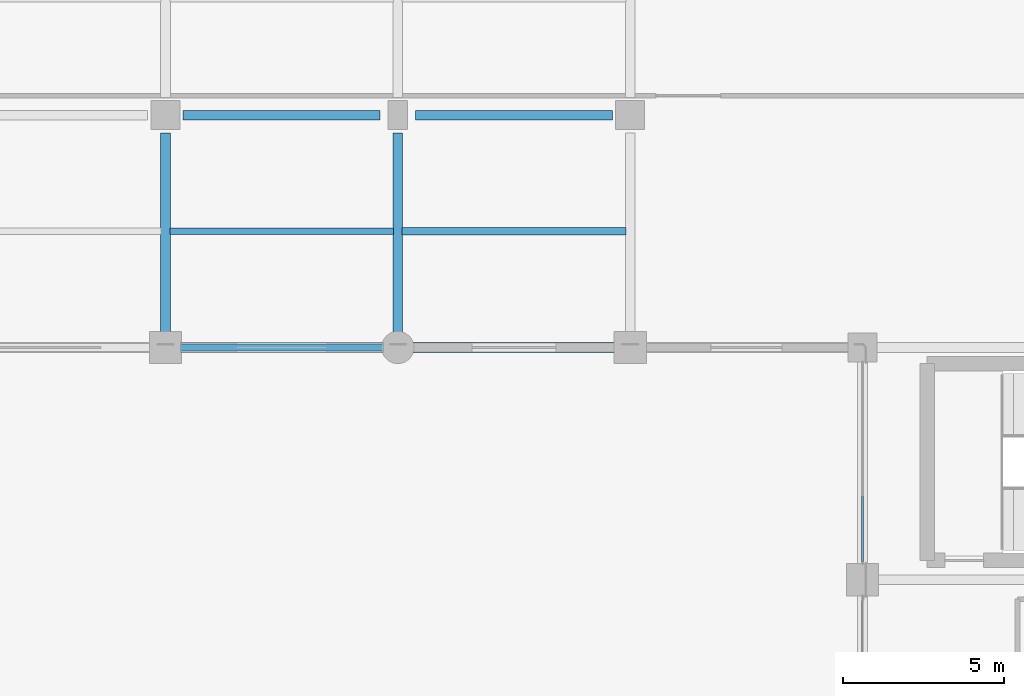
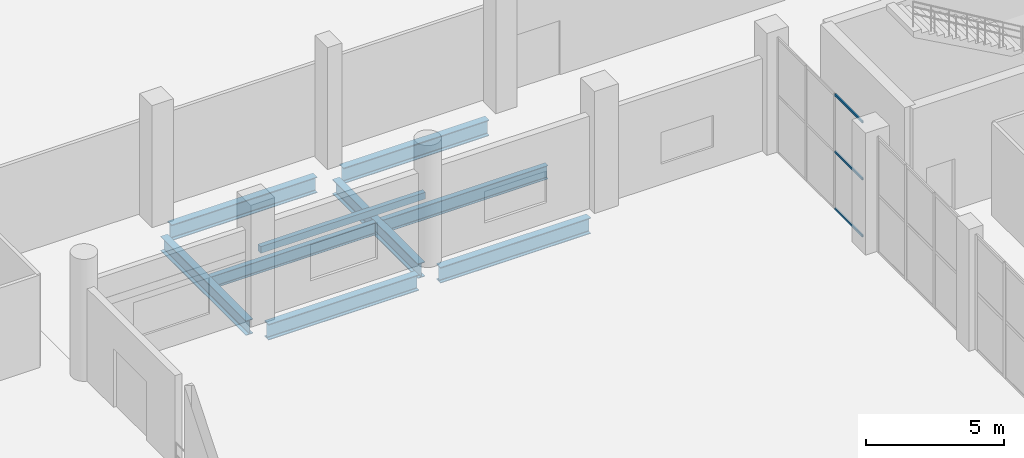
# One storey, part 21 of 58: 9 beams, 3 members, 1 element without a shape of its own.
"""IFC4 building model written with IfcOpenShell, lengths in metres."""

from ifc_helpers import new_model, si_unit, direction, frame, origin, origin_2d, place, context, subcontext, project, spatial, rectangle, hollow_rectangle, i_section, extrude, material, material_profile, profile_set, type_object, element, aggregate, save


model = new_model("IFC4")

# Units and contexts
model_context = context("Model", 3, precision=1e-05, world=origin(), true_north=direction((0.0, 1.0)))
body_context = subcontext(model_context, "Body", "Model", "MODEL_VIEW")
ifc_project = project(units=[si_unit("LENGTHUNIT", "METRE"), si_unit("AREAUNIT", "SQUARE_METRE"), si_unit("VOLUMEUNIT", "CUBIC_METRE"), si_unit("PLANEANGLEUNIT", "RADIAN"), si_unit("MASSUNIT", "GRAM", prefix="KILO")], contexts=[model_context])

# Site, building, storey
site_placement = place(None, origin())
site = spatial("IfcSite", under=ifc_project, at=site_placement, CompositionType="ELEMENT")
building_placement = place(site_placement, origin())
building = spatial("IfcBuilding", under=site, at=building_placement, Name="Qandorah Velis Arena", CompositionType="ELEMENT")
storey_placement = place(building_placement, origin())
storey = spatial("IfcBuildingStorey", under=building, at=storey_placement, Name="L00", CompositionType="ELEMENT", Elevation=0.0)

# Curtain wall, members
ifc_material_1 = material(Name="Solar-control low-E double glazing", Category="glass")
curtain_wall_type = type_object("IfcCurtainWallType", Name="ARC-CW-SYS24", PredefinedType="USERDEFINED", material=ifc_material_1)
curtain_wall_placement = place(storey_placement, origin())
curtain_wall = element("IfcCurtainWall", 1, at=curtain_wall_placement, inside=storey, type_object=curtain_wall_type, Name="Unitised curtain wall L00-120", ObjectType="UNITISED CURTAIN WALL", PredefinedType="USERDEFINED")
ifc_material_2 = material(Name="Champagne-bronze anodized aluminium 6063-T6", Category="aluminium")
ifc_material_profile_1 = material_profile(ifc_material_2, hollow_rectangle(XDim=0.054931640625, YDim=0.10009765625, WallThickness=0.0029296875, at=origin_2d()), Name="ALU TRANSOM 55x100")
ifc_profile_set_1 = profile_set([ifc_material_profile_1], Name="Champagne-bronze anodized aluminium 6063-T6")
member_type = type_object("IfcMemberType", Name="ARC-CWT-100", PredefinedType="USERDEFINED", material=ifc_profile_set_1)
member_1_placement = place(storey_placement, frame((151.199951171875, 79.76806640625, 0.027587890625), z_axis=(0.0, 1.0, 0.0), x_axis=(-1.0, 0.0, 0.0)))
member_1 = element("IfcMember", 2, at=member_1_placement, type_object=member_type, Name="CW24 transom 1.1", ObjectType="TRANSOM", PredefinedType="USERDEFINED", context=body_context, shape_type="SweptSolid", body=[
    extrude(hollow_rectangle(XDim=0.054931640625, YDim=0.10009765625, WallThickness=0.0029296875, at=origin_2d()), origin(), (0.0, 0.0, 1.0), 2.008056640625),
])
member_2_placement = place(storey_placement, frame((151.199951171875, 79.76806640625, 2.550048828125), z_axis=(0.0, 1.0, 0.0), x_axis=(-1.0, 0.0, 0.0)))
member_2 = element("IfcMember", 3, at=member_2_placement, type_object=member_type, Name="CW24 transom 1.2", ObjectType="TRANSOM", PredefinedType="USERDEFINED", context=body_context, shape_type="SweptSolid", body=[
    extrude(hollow_rectangle(XDim=0.054931640625, YDim=0.10009765625, WallThickness=0.0029296875, at=origin_2d()), origin(), (0.0, 0.0, 1.0), 2.008056640625),
])
member_3_placement = place(storey_placement, frame((151.199951171875, 79.76806640625, 5.072509765625), z_axis=(0.0, 1.0, 0.0), x_axis=(-1.0, 0.0, 0.0)))
member_3 = element("IfcMember", 4, at=member_3_placement, type_object=member_type, Name="CW24 transom 1.3", ObjectType="TRANSOM", PredefinedType="USERDEFINED", context=body_context, shape_type="SweptSolid", body=[
    extrude(hollow_rectangle(XDim=0.054931640625, YDim=0.10009765625, WallThickness=0.0029296875, at=origin_2d()), origin(), (0.0, 0.0, 1.0), 2.008056640625),
])
aggregate(curtain_wall, [member_1, member_2, member_3])

# Beams
ifc_material_3 = material(Name="Steel S355", Category="steel")
ifc_material_profile_2 = material_profile(ifc_material_3, i_section(OverallWidth=0.300048828125, OverallDepth=0.64990234375, WebThickness=0.01611328125, FlangeThickness=0.031005859375, FilletRadius=0.027099609375, at=origin_2d()), Name="HEB 650")
ifc_profile_set_2 = profile_set([ifc_material_profile_2], Name="Steel S355")
beam_type_1 = type_object("IfcBeamType", Name="STR-BM-HEB650", PredefinedType="BEAM", material=ifc_profile_set_2)
for number, where, z_axis, x_axis, name in (
    (5, (129.60009765625, 86.85009765625, -0.7451171875), (0.0, 1.0, 0.0), (-1.0, 0.0, 0.0), "Primary floor girder L00 Y-477"),
    (6, (136.800048828125, 86.85009765625, -0.7451171875), (0.0, 1.0, 0.0), (-1.0, 0.0, 0.0), "Primary floor girder L00 Y-488"),
):
    element("IfcBeam", number, at=place(storey_placement, frame(where, z_axis=z_axis, x_axis=x_axis)), inside=storey, type_object=beam_type_1, Name=name, PredefinedType="BEAM", context=body_context, shape_type="SweptSolid", body=[
        extrude(i_section(OverallWidth=0.300048828125, OverallDepth=0.64990234375, WebThickness=0.01611328125, FlangeThickness=0.031005859375, FilletRadius=0.027099609375, at=origin_2d()), origin(), (0.0, 0.0, 1.0), 6.199951171875),
    ])
ifc_material_profile_3 = material_profile(ifc_material_3, i_section(OverallWidth=0.300048828125, OverallDepth=0.699951171875, WebThickness=0.01708984375, FlangeThickness=0.031982421875, FilletRadius=0.027099609375, at=origin_2d()), Name="HEB 700")
ifc_profile_set_3 = profile_set([ifc_material_profile_3], Name="Steel S355")
beam_type_2 = type_object("IfcBeamType", Name="STR-BM-HEB700", PredefinedType="BEAM", material=ifc_profile_set_3)
for number, where, z_axis, x_axis, name in (
    (7, (130.050048828125, 86.39990234375, -0.77001953125), (1.0, 0.0, 0.0), (0.0, 1.0, 0.0), "Primary floor girder L00 X-157"),
    (8, (137.25, 86.39990234375, -0.77001953125), (1.0, 0.0, 0.0), (0.0, 1.0, 0.0), "Primary floor girder L00 X-158"),
):
    element("IfcBeam", number, at=place(storey_placement, frame(where, z_axis=z_axis, x_axis=x_axis)), inside=storey, type_object=beam_type_2, Name=name, PredefinedType="BEAM", context=body_context, shape_type="SweptSolid", body=[
        extrude(i_section(OverallWidth=0.300048828125, OverallDepth=0.699951171875, WebThickness=0.01708984375, FlangeThickness=0.031982421875, FilletRadius=0.027099609375, at=origin_2d()), origin(), (0.0, 0.0, 1.0), 6.300048828125),
    ])
beam_1_placement = place(storey_placement, frame((130.14990234375, 93.60009765625, -0.77001953125), z_axis=(1.0, 0.0, 0.0), x_axis=(0.0, 1.0, 0.0)))
element("IfcBeam", 9, at=beam_1_placement, inside=storey, type_object=beam_type_2, Name="Primary floor girder L00 X-171", PredefinedType="BEAM", context=body_context, shape_type="SweptSolid", body=[
    extrude(i_section(OverallWidth=0.300048828125, OverallDepth=0.699951171875, WebThickness=0.01708984375, FlangeThickness=0.031982421875, FilletRadius=0.027099609375, at=origin_2d()), origin(), (0.0, 0.0, 1.0), 6.10009765625),
])
beam_2_placement = place(storey_placement, frame((137.35009765625, 93.60009765625, -0.77001953125), z_axis=(1.0, 0.0, 0.0), x_axis=(0.0, 1.0, 0.0)))
element("IfcBeam", 10, at=beam_2_placement, inside=storey, type_object=beam_type_2, Name="Primary floor girder L00 X-172", PredefinedType="BEAM", context=body_context, shape_type="SweptSolid", body=[
    extrude(i_section(OverallWidth=0.300048828125, OverallDepth=0.699951171875, WebThickness=0.01708984375, FlangeThickness=0.031982421875, FilletRadius=0.027099609375, at=origin_2d()), origin(), (0.0, 0.0, 1.0), 6.099853515625),
])
ifc_material_profile_4 = material_profile(ifc_material_3, i_section(OverallWidth=0.2099609375, OverallDepth=0.550048828125, WebThickness=0.010986328125, FlangeThickness=0.01708984375, FilletRadius=0.02392578125, at=origin_2d()), Name="IPE 550")
ifc_profile_set_4 = profile_set([ifc_material_profile_4], Name="Steel S355")
beam_type_3 = type_object("IfcBeamType", Name="STR-JST-IPE550", PredefinedType="JOIST", material=ifc_profile_set_4)
beam_3_placement = place(storey_placement, frame((129.735107421875, 90.0, -0.695068359375), z_axis=(1.0, 0.0, 0.0), x_axis=(0.0, 1.0, 0.0)))
element("IfcBeam", 11, at=beam_3_placement, inside=storey, type_object=beam_type_3, Name="Secondary floor joist L00-174", PredefinedType="JOIST", context=body_context, shape_type="SweptSolid", body=[
    extrude(i_section(OverallWidth=0.2099609375, OverallDepth=0.550048828125, WebThickness=0.010986328125, FlangeThickness=0.01708984375, FilletRadius=0.02392578125, at=origin_2d()), origin(), (0.0, 0.0, 1.0), 6.929931640625),
])
ifc_material_profile_5 = material_profile(ifc_material_3, i_section(OverallWidth=0.219970703125, OverallDepth=0.60009765625, WebThickness=0.011962890625, FlangeThickness=0.01904296875, FilletRadius=0.02392578125, at=origin_2d()), Name="IPE 600")
ifc_profile_set_5 = profile_set([ifc_material_profile_5], Name="Steel S355")
beam_type_4 = type_object("IfcBeamType", Name="STR-JST-IPE600", PredefinedType="JOIST", material=ifc_profile_set_5)
beam_4_placement = place(storey_placement, frame((136.93505859375, 90.0, -0.719970703125), z_axis=(1.0, 0.0, 0.0), x_axis=(0.0, 1.0, 0.0)))
element("IfcBeam", 12, at=beam_4_placement, inside=storey, type_object=beam_type_4, Name="Secondary floor joist L00-185", PredefinedType="JOIST", context=body_context, shape_type="SweptSolid", body=[
    extrude(i_section(OverallWidth=0.219970703125, OverallDepth=0.60009765625, WebThickness=0.011962890625, FlangeThickness=0.01904296875, FilletRadius=0.02392578125, at=origin_2d()), origin(), (0.0, 0.0, 1.0), 6.929931640625),
])
ifc_material_4 = material(Name="Concrete C40/50", Category="concrete")
ifc_material_profile_6 = material_profile(ifc_material_4, rectangle(XDim=0.199951171875, YDim=0.300048828125, at=origin_2d()), Name="RC LINTEL 200x300")
ifc_profile_set_6 = profile_set([ifc_material_profile_6], Name="Concrete C40/50")
beam_type_5 = type_object("IfcBeamType", Name="STR-LIN-200X300", PredefinedType="LINTEL", material=ifc_profile_set_6)
beam_5_placement = place(storey_placement, frame((129.75, 86.39990234375, 2.949951171875), z_axis=(1.0, 0.0, 0.0), x_axis=(0.0, 1.0, 0.0)))
element("IfcBeam", 13, at=beam_5_placement, inside=storey, type_object=beam_type_5, Name="Facade opening lintel LN-08", PredefinedType="LINTEL", context=body_context, shape_type="SweptSolid", body=[
    extrude(rectangle(XDim=0.199951171875, YDim=0.300048828125, at=origin_2d()), origin(), (0.0, 0.0, 1.0), 6.89990234375),
])

save(model, "model.ifc")
